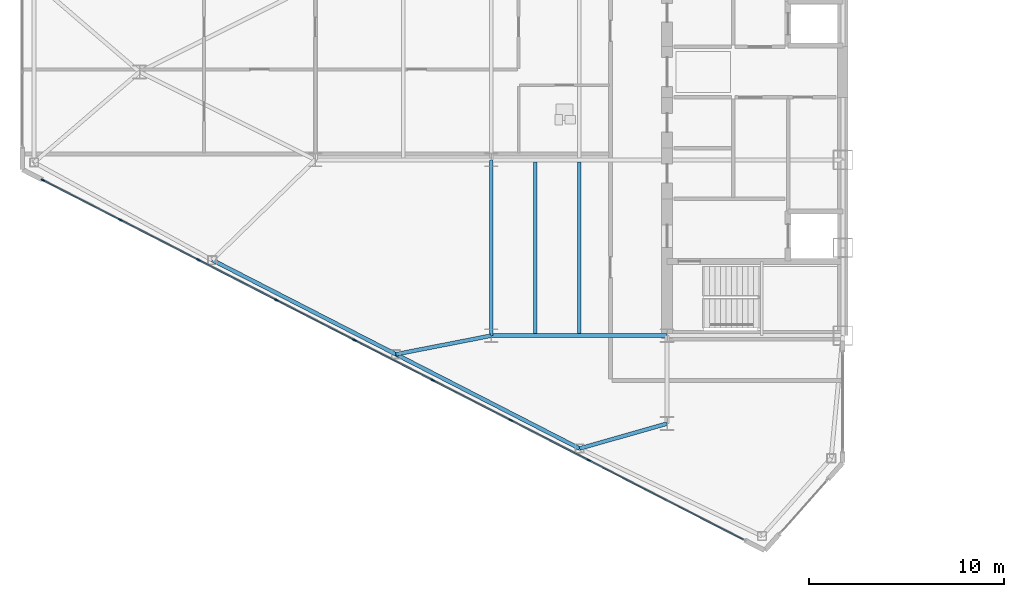
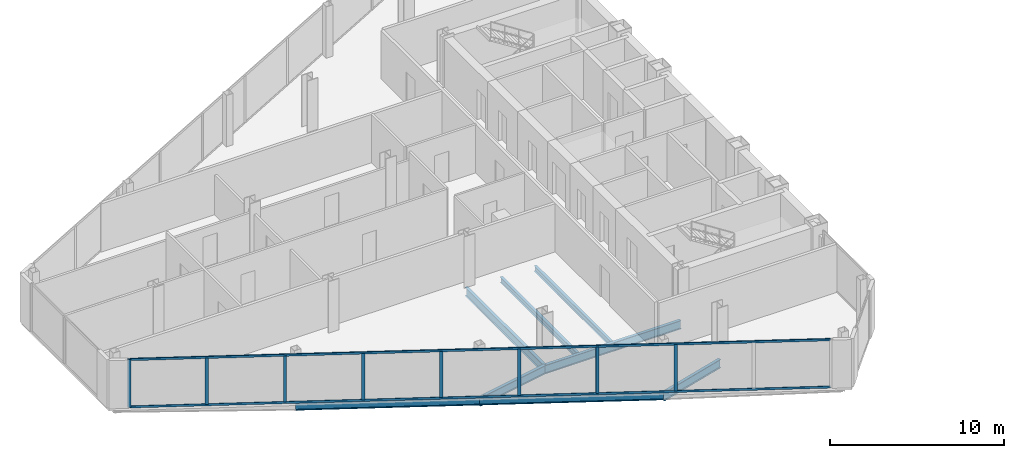
# One storey, part 3 of 22: 10 members, 8 beams, 1 element without a shape of its own.
"""IFC4 building model written with IfcOpenShell, lengths in metres."""

from ifc_helpers import new_model, si_unit, direction, frame, origin, origin_2d, place, context, subcontext, project, spatial, rectangle, i_section, extrude, source, transform, mapped, material, layer, layer_set, material_profile, profile_set, type_object, type_shapes, element, aggregate, save


model = new_model("IFC4")

# Units and contexts
model_context = context("Model", 3, precision=1e-05, world=origin(), true_north=direction((0.0, 1.0)))
body_context = subcontext(model_context, "Body", "Model", "MODEL_VIEW")
ifc_project = project(units=[si_unit("LENGTHUNIT", "METRE"), si_unit("AREAUNIT", "SQUARE_METRE"), si_unit("VOLUMEUNIT", "CUBIC_METRE"), si_unit("PLANEANGLEUNIT", "RADIAN"), si_unit("MASSUNIT", "GRAM", prefix="KILO")], contexts=[model_context])

# Site, building, storey
site_placement = place(None, origin())
site = spatial("IfcSite", under=ifc_project, at=site_placement, CompositionType="ELEMENT")
building_placement = place(site_placement, origin())
building = spatial("IfcBuilding", under=site, at=building_placement, Name="Seokmaru Belvedere", CompositionType="ELEMENT")
storey_placement = place(building_placement, frame((0.0, 0.0, 151.199951171875)))
storey = spatial("IfcBuildingStorey", under=building, at=storey_placement, Name="L40", CompositionType="ELEMENT", Elevation=151.199951171875)

# Beams
ifc_material_1 = material(Name="Steel SM355 (355 MPa)", Category="steel")
ifc_material_profile_1 = material_profile(ifc_material_1, i_section(OverallWidth=0.199951171875, OverallDepth=0.60009765625, WebThickness=0.010986328125, FlangeThickness=0.01708984375, at=origin_2d()), Name="H-600x200x11x17")
ifc_profile_set_1 = profile_set([ifc_material_profile_1], Name="Steel SM355 (355 MPa)")
beam_type_1 = type_object("IfcBeamType", Name="Primary Floor Girder H-600", PredefinedType="BEAM", material=ifc_profile_set_1)
shared_shape_1 = source(origin(), body_context, "Body", "SweptSolid", [
    extrude(i_section(OverallWidth=0.199951171875, OverallDepth=0.60009765625, WebThickness=0.010986328125, FlangeThickness=0.01708984375, at=origin_2d()), origin(), (0.0, 0.0, 1.0), 9.0),
])
for number, where, z_axis, x_axis, name in (
    (1, (-45.5, -13.5, -0.52001953125), (0.0, 1.0, 0.0), (-1.0, 0.0, 0.0), "L40 W Interior Grid Girder 1"),
    (2, (-45.5, -13.5, -0.52001953125), (1.0, 0.0, 0.0), (0.0, 1.0, 0.0), "L40 W Wing Primary Girder 1"),
):
    element("IfcBeam", number, at=place(storey_placement, frame(where, z_axis=z_axis, x_axis=x_axis)), inside=storey, type_object=beam_type_1, Name=name, PredefinedType="BEAM", context=body_context, shape_type="MappedRepresentation", body=[
        mapped(shared_shape_1, transform((0.0, 0.0, 0.0), scale=1.0)),
    ])
ifc_material_profile_2 = material_profile(ifc_material_1, i_section(OverallWidth=0.18505859375, OverallDepth=0.389892578125, WebThickness=0.008056640625, FlangeThickness=0.011962890625, at=origin_2d()), Name="H-390x185x8x12")
ifc_profile_set_2 = profile_set([ifc_material_profile_2], Name="Steel SM355 (355 MPa)")
beam_type_2 = type_object("IfcBeamType", Name="Secondary Floor Joist H-350", PredefinedType="JOIST", material=ifc_profile_set_2)
shared_shape_2 = source(origin(), body_context, "Body", "SweptSolid", [
    extrude(i_section(OverallWidth=0.18505859375, OverallDepth=0.389892578125, WebThickness=0.008056640625, FlangeThickness=0.011962890625, at=origin_2d()), origin(), (0.0, 0.0, 1.0), 8.7900390625),
])
type_shapes(beam_type_2, [shared_shape_2])
for number, where, z_axis, x_axis, name in (
    (3, (-43.25, -13.39501953125, -0.4150390625), (0.0, 1.0, 0.0), (-1.0, 0.0, 0.0), "L40 W Wing Inner Secondary Joist 1"),
    (4, (-41.0, -13.39501953125, -0.4150390625), (0.0, 1.0, 0.0), (-1.0, 0.0, 0.0), "L40 W Secondary Floor Joist 1"),
):
    element("IfcBeam", number, at=place(storey_placement, frame(where, z_axis=z_axis, x_axis=x_axis)), inside=storey, type_object=beam_type_2, Name=name, PredefinedType="JOIST", context=body_context, shape_type="MappedRepresentation", body=[
        mapped(shared_shape_2, transform((0.0, 0.0, 0.0), scale=1.0)),
    ])
ifc_material_profile_3 = material_profile(ifc_material_1, i_section(OverallWidth=0.199951171875, OverallDepth=0.5, WebThickness=0.010009765625, FlangeThickness=0.01611328125, at=origin_2d()), Name="H-500x200x10x16")
ifc_profile_set_3 = profile_set([ifc_material_profile_3], Name="Steel SM355 (355 MPa)")
beam_type_3 = type_object("IfcBeamType", Name="Perimeter Spandrel Beam H-500", PredefinedType="SPANDREL", material=ifc_profile_set_3)
shared_shape_3 = source(origin(), body_context, "Body", "SweptSolid", [
    extrude(i_section(OverallWidth=0.199951171875, OverallDepth=0.5, WebThickness=0.010009765625, FlangeThickness=0.01611328125, at=origin_2d()), origin(), (0.0, 0.0, 1.0), 10.56689453125),
])
type_shapes(beam_type_3, [shared_shape_3])
for number, where, z_axis, x_axis, name in (
    (5, (-40.975830078125, -19.277587890625, -0.469970703125), (-0.889701972758, 0.45654178305, 0.0), (-0.45654178305, -0.889701972758, 0.0), "L40 W Faceted Flank Spandrel S-2"),
    (6, (-50.377197265625, -14.453369140625, -0.469970703125), (-0.889692588006, 0.456560071455, 0.0), (-0.456560071455, -0.889692588006, 0.0), "L40 W Faceted Flank Spandrel S-3"),
):
    element("IfcBeam", number, at=place(storey_placement, frame(where, z_axis=z_axis, x_axis=x_axis)), inside=storey, type_object=beam_type_3, Name=name, PredefinedType="SPANDREL", context=body_context, shape_type="MappedRepresentation", body=[
        mapped(shared_shape_3, transform((0.0, 0.0, 0.0), scale=1.0)),
    ])
shared_shape_4 = source(origin(), body_context, "Body", "SweptSolid", [
    extrude(i_section(OverallWidth=0.199951171875, OverallDepth=0.60009765625, WebThickness=0.010986328125, FlangeThickness=0.01708984375, at=origin_2d()), origin(), (0.0, 0.0, 1.0), 4.654541015625),
])
beam_1_placement = place(storey_placement, frame((-40.975830078125, -19.277587890625, -0.52001953125), z_axis=(0.961593192625, 0.274478654721, 0.0), x_axis=(-0.274478654721, 0.961593192625, 0.0)))
element("IfcBeam", 7, at=beam_1_placement, inside=storey, type_object=beam_type_1, Name="L40 W Flank Radial Floor Girder S-1", PredefinedType="BEAM", context=body_context, shape_type="MappedRepresentation", body=[
    mapped(shared_shape_4, transform((0.0, 0.0, 0.0), scale=1.0)),
])
shared_shape_5 = source(origin(), body_context, "Body", "SweptSolid", [
    extrude(i_section(OverallWidth=0.199951171875, OverallDepth=0.60009765625, WebThickness=0.010986328125, FlangeThickness=0.01708984375, at=origin_2d()), origin(), (0.0, 0.0, 1.0), 4.969482421875),
])
type_shapes(beam_type_1, [shared_shape_1, shared_shape_4, shared_shape_5])
beam_2_placement = place(storey_placement, frame((-50.377197265625, -14.453369140625, -0.52001953125), z_axis=(0.98142544456, 0.19184393858, 0.0), x_axis=(-0.19184393858, 0.98142544456, 0.0)))
element("IfcBeam", 8, at=beam_2_placement, inside=storey, type_object=beam_type_1, Name="L40 W Flank Radial Floor Girder S-2", PredefinedType="BEAM", context=body_context, shape_type="MappedRepresentation", body=[
    mapped(shared_shape_5, transform((0.0, 0.0, 0.0), scale=1.0)),
])

# Curtain wall, members
ifc_material_2 = material(Name="Bronze Triple Insulating Glass", Category="glass")
ifc_layer = layer(ifc_material_2, 0.195068359375)
ifc_layer_set = layer_set([ifc_layer], Name="Bronze Triple Insulating Glass")
curtain_wall_type = type_object("IfcCurtainWallType", Name="Sky-Lobby and Mid-Rise Curtain Wall System CW-4", PredefinedType="NOTDEFINED", material=ifc_layer_set)
curtain_wall_placement = place(storey_placement, origin())
curtain_wall = element("IfcCurtainWall", 9, at=curtain_wall_placement, inside=storey, type_object=curtain_wall_type, Name="L40 Curtain Wall WF5", PredefinedType="NOTDEFINED")
ifc_material_3 = material(Name="Anodised Bronze Aluminium", Category="aluminium")
ifc_material_profile_4 = material_profile(ifc_material_3, rectangle(XDim=0.070068359375, YDim=0.195068359375, at=origin_2d()), Name="CW-M-70x195")
ifc_profile_set_4 = profile_set([ifc_material_profile_4], Name="Anodised Bronze Aluminium")
member_type_1 = type_object("IfcMemberType", Name="Bronze Unitised Mullion 70x195", PredefinedType="MULLION", material=ifc_profile_set_4)
shared_shape_6 = source(origin(), body_context, "Body", "SweptSolid", [
    extrude(rectangle(XDim=0.070068359375, YDim=0.195068359375, at=origin_2d()), origin(), (0.0, 0.0, 1.0), 3.380126953125),
])
member_1_placement = place(storey_placement, frame((-68.44580078125, -5.541015625, 0.0), z_axis=(0.0, 0.0, 1.0), x_axis=(0.456554528263, 0.889695432562, 0.0)))
member_1 = element("IfcMember", 10, at=member_1_placement, type_object=member_type_1, Name="CW:L40:WF5 Mullion 1", PredefinedType="MULLION", context=body_context, shape_type="MappedRepresentation", body=[
    mapped(shared_shape_6, transform((0.0, 0.0, 0.0), scale=1.0)),
])
shared_shape_7 = source(origin(), body_context, "Body", "SweptSolid", [
    extrude(rectangle(XDim=0.070068359375, YDim=0.195068359375, at=origin_2d()), origin(), (0.0, 0.0, 1.0), 3.25),
])
type_shapes(member_type_1, [shared_shape_6, shared_shape_7])
member_2_placement = place(storey_placement, frame((-64.48193359375, -7.574951171875, 0.06494140625), z_axis=(0.0, 0.0, 1.0), x_axis=(0.456554528263, 0.889695432562, 0.0)))
member_2 = element("IfcMember", 11, at=member_2_placement, type_object=member_type_1, Name="CW:L40:WF5 Mullion 2", PredefinedType="MULLION", context=body_context, shape_type="MappedRepresentation", body=[
    mapped(shared_shape_7, transform((0.0, 0.0, 0.0), scale=1.0)),
])
member_3_placement = place(storey_placement, frame((-60.4873046875, -9.625, 0.06494140625), z_axis=(0.0, 0.0, 1.0), x_axis=(0.456554528263, 0.889695432562, 0.0)))
member_3 = element("IfcMember", 12, at=member_3_placement, type_object=member_type_1, Name="CW:L40:WF5 Mullion 3", PredefinedType="MULLION", context=body_context, shape_type="MappedRepresentation", body=[
    mapped(shared_shape_7, transform((0.0, 0.0, 0.0), scale=1.0)),
])
member_4_placement = place(storey_placement, frame((-56.4921875, -11.675048828125, 0.06494140625), z_axis=(0.0, 0.0, 1.0), x_axis=(0.456554528263, 0.889695432562, 0.0)))
member_4 = element("IfcMember", 13, at=member_4_placement, type_object=member_type_1, Name="CW:L40:WF5 Mullion 4", PredefinedType="MULLION", context=body_context, shape_type="MappedRepresentation", body=[
    mapped(shared_shape_7, transform((0.0, 0.0, 0.0), scale=1.0)),
])
member_5_placement = place(storey_placement, frame((-52.497314453125, -13.72509765625, 0.06494140625), z_axis=(0.0, 0.0, 1.0), x_axis=(0.456554528263, 0.889695432562, 0.0)))
member_5 = element("IfcMember", 14, at=member_5_placement, type_object=member_type_1, Name="CW:L40:WF5 Mullion 5", PredefinedType="MULLION", context=body_context, shape_type="MappedRepresentation", body=[
    mapped(shared_shape_7, transform((0.0, 0.0, 0.0), scale=1.0)),
])
member_6_placement = place(storey_placement, frame((-48.502685546875, -15.77490234375, 0.06494140625), z_axis=(0.0, 0.0, 1.0), x_axis=(0.456554528263, 0.889695432562, 0.0)))
member_6 = element("IfcMember", 15, at=member_6_placement, type_object=member_type_1, Name="CW:L40:WF5 Mullion 6", PredefinedType="MULLION", context=body_context, shape_type="MappedRepresentation", body=[
    mapped(shared_shape_7, transform((0.0, 0.0, 0.0), scale=1.0)),
])
member_7_placement = place(storey_placement, frame((-44.5078125, -17.824951171875, 0.06494140625), z_axis=(0.0, 0.0, 1.0), x_axis=(0.456554528263, 0.889695432562, 0.0)))
member_7 = element("IfcMember", 16, at=member_7_placement, type_object=member_type_1, Name="CW:L40:WF5 Mullion 7", PredefinedType="MULLION", context=body_context, shape_type="MappedRepresentation", body=[
    mapped(shared_shape_7, transform((0.0, 0.0, 0.0), scale=1.0)),
])
member_8_placement = place(storey_placement, frame((-40.5126953125, -19.875, 0.06494140625), z_axis=(0.0, 0.0, 1.0), x_axis=(0.456554528263, 0.889695432562, 0.0)))
member_8 = element("IfcMember", 17, at=member_8_placement, type_object=member_type_1, Name="CW:L40:WF5 Mullion 8", PredefinedType="MULLION", context=body_context, shape_type="MappedRepresentation", body=[
    mapped(shared_shape_7, transform((0.0, 0.0, 0.0), scale=1.0)),
])
ifc_material_profile_5 = material_profile(ifc_material_3, rectangle(XDim=0.06494140625, YDim=0.14990234375, at=origin_2d()), Name="CW-T-65x150")
ifc_profile_set_5 = profile_set([ifc_material_profile_5], Name="Anodised Bronze Aluminium")
member_type_2 = type_object("IfcMemberType", Name="Bronze Unitised Transom 65x150", PredefinedType="USERDEFINED", material=ifc_profile_set_5)
shared_shape_8 = source(origin(), body_context, "Body", "SweptSolid", [
    extrude(rectangle(XDim=0.06494140625, YDim=0.14990234375, at=origin_2d()), origin(), (0.0, 0.0, 1.0), 40.271240234375),
])
type_shapes(member_type_2, [shared_shape_8])
member_9_placement = place(storey_placement, frame((-68.41455078125, -5.556884765625, 0.032470703125), z_axis=(0.889693089107, -0.456559094965, 0.0), x_axis=(0.456559094965, 0.889693089107, 0.0)))
member_9 = element("IfcMember", 18, at=member_9_placement, type_object=member_type_2, Name="CW:L40:WF5 Continuous Transom 1", ObjectType="TRANSOM", PredefinedType="USERDEFINED", context=body_context, shape_type="MappedRepresentation", body=[
    mapped(shared_shape_8, transform((0.0, 0.0, 0.0), scale=1.0)),
])
member_10_placement = place(storey_placement, frame((-68.41455078125, -5.556884765625, 3.34765625), z_axis=(0.889693089107, -0.456559094965, 0.0), x_axis=(0.456559094965, 0.889693089107, 0.0)))
member_10 = element("IfcMember", 19, at=member_10_placement, type_object=member_type_2, Name="CW:L40:WF5 Continuous Transom 2", ObjectType="TRANSOM", PredefinedType="USERDEFINED", context=body_context, shape_type="MappedRepresentation", body=[
    mapped(shared_shape_8, transform((0.0, 0.0, 0.0), scale=1.0)),
])
aggregate(curtain_wall, [member_1, member_2, member_3, member_4, member_5, member_6, member_7, member_8, member_9, member_10])

save(model, "model.ifc")
